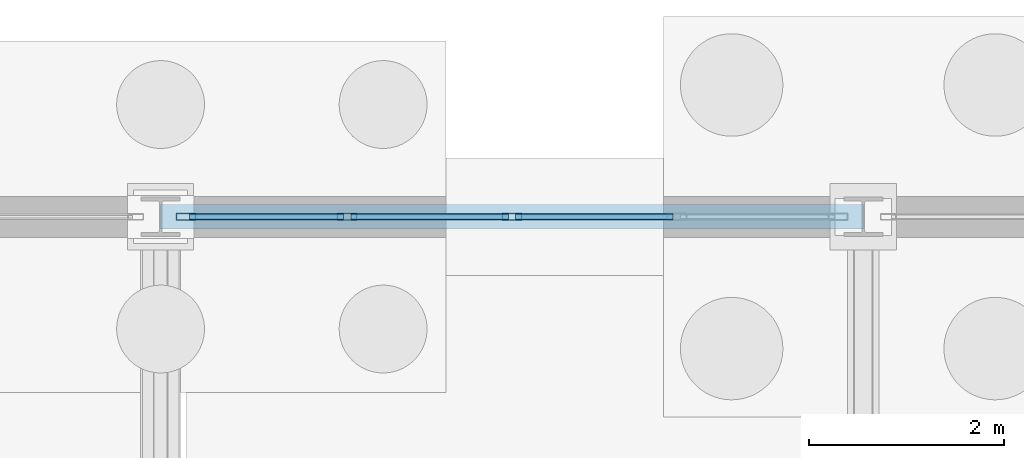
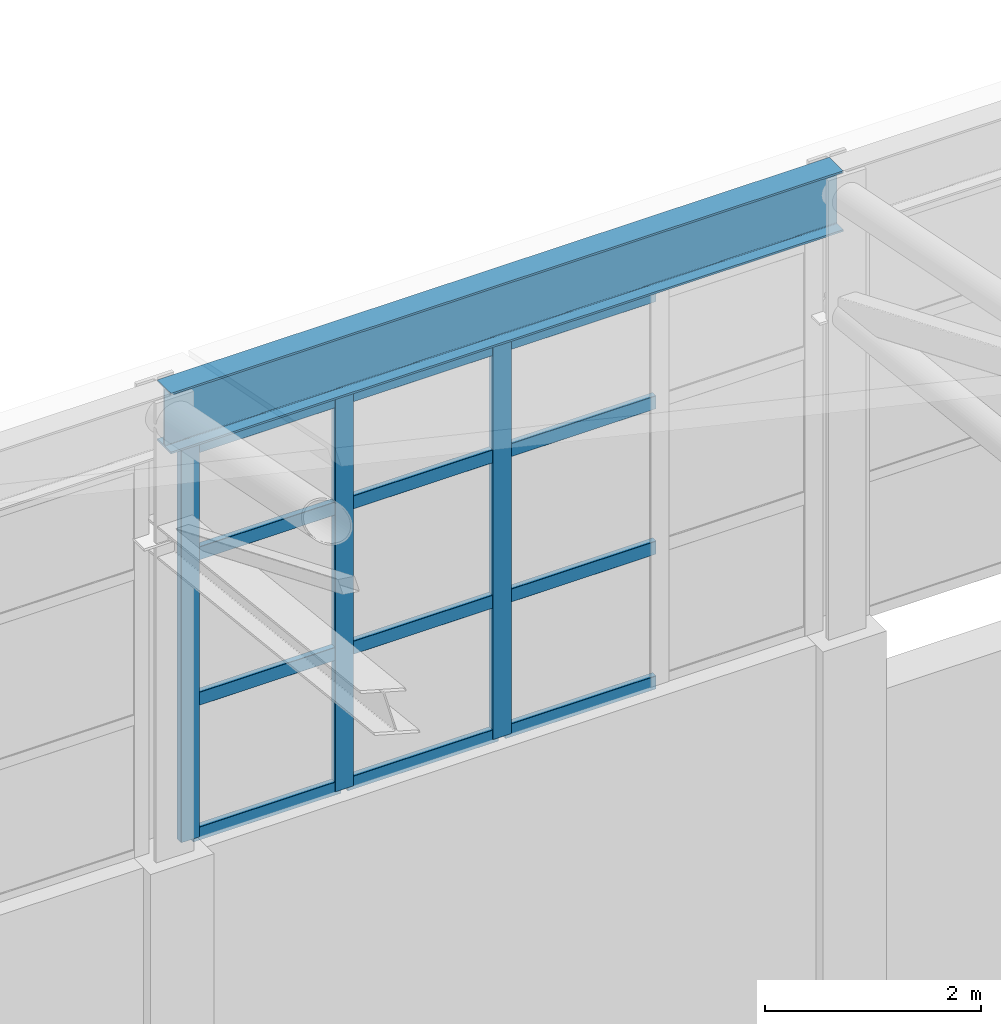
# One storey, part 204 of 293: 15 members, 1 beam, 1 element without a shape of its own.
"""IFC4 building model written with IfcOpenShell, lengths in metres."""

from ifc_helpers import new_model, si_unit, direction, frame, origin, origin_2d, place, context, subcontext, project, spatial, hollow_rectangle, i_section, extrude, material, layer, layer_set, material_profile, profile_set, type_object, element, aggregate, save


model = new_model("IFC4")

# Units and contexts
model_context = context("Model", 3, precision=1e-05, world=origin(), true_north=direction((0.0, 1.0)))
body_context = subcontext(model_context, "Body", "Model", "MODEL_VIEW")
ifc_project = project(units=[si_unit("LENGTHUNIT", "METRE"), si_unit("AREAUNIT", "SQUARE_METRE"), si_unit("VOLUMEUNIT", "CUBIC_METRE"), si_unit("PLANEANGLEUNIT", "RADIAN"), si_unit("MASSUNIT", "GRAM", prefix="KILO")], contexts=[model_context])

# Site, building, storey
site_placement = place(None, origin())
site = spatial("IfcSite", under=ifc_project, at=site_placement, CompositionType="ELEMENT")
building_placement = place(site_placement, origin())
building = spatial("IfcBuilding", under=site, at=building_placement, Name="Kemerveld Promenade Tramway Depot", CompositionType="ELEMENT")
storey_placement = place(building_placement, origin())
storey = spatial("IfcBuildingStorey", under=building, at=storey_placement, Name="L00", CompositionType="ELEMENT", Elevation=0.0)

# Beam
ifc_material_1 = material(Name="Steel S355", Category="steel")
ifc_material_profile_1 = material_profile(ifc_material_1, i_section(OverallWidth=0.25439453125, OverallDepth=0.6875, WebThickness=0.01318359375, FlangeThickness=0.02099609375, FilletRadius=0.01513671875, at=origin_2d()), Name="686x254x152 UB")
ifc_profile_set_1 = profile_set([ifc_material_profile_1], Name="Steel S355")
beam_type = type_object("IfcBeamType", Name="BM-G03", PredefinedType="BEAM", material=ifc_profile_set_1)
beam_placement = place(storey_placement, frame((57.60009765625, 144.0, 11.056396484375), z_axis=(1.0, 0.0, 0.0), x_axis=(0.0, 1.0, 0.0)))
element("IfcBeam", 1, at=beam_placement, inside=storey, type_object=beam_type, Name="BM-SHED-EAVE-U-09", PredefinedType="BEAM", context=body_context, shape_type="SweptSolid", body=[
    extrude(i_section(OverallWidth=0.25439453125, OverallDepth=0.6875, WebThickness=0.01318359375, FlangeThickness=0.02099609375, FilletRadius=0.01513671875, at=origin_2d()), origin(), (0.0, 0.0, 1.0), 7.199951171875),
])

# Curtain wall, members
ifc_material_2 = material(Name="Bronze anodised aluminium and solar glass", Category="aluminium")
ifc_layer = layer(ifc_material_2, 0.199951171875)
ifc_layer_set = layer_set([ifc_layer], Name="CW-SYS-04")
curtain_wall_type = type_object("IfcCurtainWallType", Name="CW-SYS-04", PredefinedType="USERDEFINED", material=ifc_layer_set)
curtain_wall_placement = place(storey_placement, origin())
curtain_wall = element("IfcCurtainWall", 2, at=curtain_wall_placement, inside=storey, type_object=curtain_wall_type, Name="CW-V1-N-04", ObjectType="GLAZED_CURTAIN_WALL", PredefinedType="USERDEFINED")
ifc_material_3 = material(Name="Bronze anodised aluminium", Category="aluminium")
ifc_material_profile_2 = material_profile(ifc_material_3, hollow_rectangle(XDim=0.074951171875, YDim=0.199951171875, WallThickness=0.0048828125, InnerFilletRadius=0.001953125, OuterFilletRadius=0.0048828125, at=origin_2d()), Name="CW-MUL-200x75")
ifc_profile_set_2 = profile_set([ifc_material_profile_2], Name="Bronze anodised aluminium")
member_type_1 = type_object("IfcMemberType", Name="CW-MUL-B", PredefinedType="MULLION", material=ifc_profile_set_2)
member_1_placement = place(storey_placement, frame((57.860595703125, 144.0, 6.199951171875), z_axis=(0.0, 0.0, 1.0), x_axis=(0.0, 1.0, 0.0)))
member_1 = element("IfcMember", 3, at=member_1_placement, type_object=member_type_1, Name="CW04 mullion 1", PredefinedType="MULLION", context=body_context, shape_type="SweptSolid", body=[
    extrude(hollow_rectangle(XDim=0.074951171875, YDim=0.199951171875, WallThickness=0.0048828125, InnerFilletRadius=0.001953125, OuterFilletRadius=0.0048828125, at=origin_2d()), origin(), (0.0, 0.0, 1.0), 4.449951171875),
])
member_2_placement = place(storey_placement, frame((59.51171875, 144.0, 6.199951171875), z_axis=(0.0, 0.0, 1.0), x_axis=(0.0, 1.0, 0.0)))
member_2 = element("IfcMember", 4, at=member_2_placement, type_object=member_type_1, Name="CW04 mullion 2", PredefinedType="MULLION", context=body_context, shape_type="SweptSolid", body=[
    extrude(hollow_rectangle(XDim=0.074951171875, YDim=0.199951171875, WallThickness=0.0048828125, InnerFilletRadius=0.001953125, OuterFilletRadius=0.0048828125, at=origin_2d()), origin(), (0.0, 0.0, 1.0), 4.449951171875),
])
member_3_placement = place(storey_placement, frame((61.199951171875, 144.0, 6.199951171875), z_axis=(0.0, 0.0, 1.0), x_axis=(0.0, 1.0, 0.0)))
member_3 = element("IfcMember", 5, at=member_3_placement, type_object=member_type_1, Name="CW04 mullion 3", PredefinedType="MULLION", context=body_context, shape_type="SweptSolid", body=[
    extrude(hollow_rectangle(XDim=0.074951171875, YDim=0.199951171875, WallThickness=0.0048828125, InnerFilletRadius=0.001953125, OuterFilletRadius=0.0048828125, at=origin_2d()), origin(), (0.0, 0.0, 1.0), 4.449951171875),
])
ifc_material_profile_3 = material_profile(ifc_material_3, hollow_rectangle(XDim=0.06494140625, YDim=0.14990234375, WallThickness=0.00439453125, InnerFilletRadius=0.001953125, OuterFilletRadius=0.00439453125, at=origin_2d()), Name="CW-TRN-150x65")
ifc_profile_set_3 = profile_set([ifc_material_profile_3], Name="Bronze anodised aluminium")
member_type_2 = type_object("IfcMemberType", Name="CW-TRN-B", PredefinedType="USERDEFINED", material=ifc_profile_set_3)
member_4_placement = place(storey_placement, frame((57.898193359375, 144.0, 6.232421875), z_axis=(1.0, 0.0, 0.0), x_axis=(0.0, 1.0, 0.0)))
member_4 = element("IfcMember", 6, at=member_4_placement, type_object=member_type_2, Name="CW04 transom 1.1", ObjectType="TRANSOM", PredefinedType="USERDEFINED", context=body_context, shape_type="SweptSolid", body=[
    extrude(hollow_rectangle(XDim=0.06494140625, YDim=0.14990234375, WallThickness=0.00439453125, InnerFilletRadius=0.001953125, OuterFilletRadius=0.00439453125, at=origin_2d()), origin(), (0.0, 0.0, 1.0), 1.575927734375),
])
member_5_placement = place(storey_placement, frame((57.898193359375, 144.0, 7.758056640625), z_axis=(1.0, 0.0, 0.0), x_axis=(0.0, 1.0, 0.0)))
member_5 = element("IfcMember", 7, at=member_5_placement, type_object=member_type_2, Name="CW04 transom 1.2", ObjectType="TRANSOM", PredefinedType="USERDEFINED", context=body_context, shape_type="SweptSolid", body=[
    extrude(hollow_rectangle(XDim=0.06494140625, YDim=0.14990234375, WallThickness=0.00439453125, InnerFilletRadius=0.001953125, OuterFilletRadius=0.00439453125, at=origin_2d()), origin(), (0.0, 0.0, 1.0), 1.575927734375),
])
member_6_placement = place(storey_placement, frame((57.898193359375, 144.0, 9.404052734375), z_axis=(1.0, 0.0, 0.0), x_axis=(0.0, 1.0, 0.0)))
member_6 = element("IfcMember", 8, at=member_6_placement, type_object=member_type_2, Name="CW04 transom 1.3", ObjectType="TRANSOM", PredefinedType="USERDEFINED", context=body_context, shape_type="SweptSolid", body=[
    extrude(hollow_rectangle(XDim=0.06494140625, YDim=0.14990234375, WallThickness=0.00439453125, InnerFilletRadius=0.001953125, OuterFilletRadius=0.00439453125, at=origin_2d()), origin(), (0.0, 0.0, 1.0), 1.575927734375),
])
member_7_placement = place(storey_placement, frame((57.898193359375, 144.0, 10.617431640625), z_axis=(1.0, 0.0, 0.0), x_axis=(0.0, 1.0, 0.0)))
member_7 = element("IfcMember", 9, at=member_7_placement, type_object=member_type_2, Name="CW04 transom 1.4", ObjectType="TRANSOM", PredefinedType="USERDEFINED", context=body_context, shape_type="SweptSolid", body=[
    extrude(hollow_rectangle(XDim=0.06494140625, YDim=0.14990234375, WallThickness=0.00439453125, InnerFilletRadius=0.001953125, OuterFilletRadius=0.00439453125, at=origin_2d()), origin(), (0.0, 0.0, 1.0), 1.575927734375),
])
member_8_placement = place(storey_placement, frame((59.549072265625, 144.0, 6.232421875), z_axis=(1.0, 0.0, 0.0), x_axis=(0.0, 1.0, 0.0)))
member_8 = element("IfcMember", 10, at=member_8_placement, type_object=member_type_2, Name="CW04 transom 2.1", ObjectType="TRANSOM", PredefinedType="USERDEFINED", context=body_context, shape_type="SweptSolid", body=[
    extrude(hollow_rectangle(XDim=0.06494140625, YDim=0.14990234375, WallThickness=0.00439453125, InnerFilletRadius=0.001953125, OuterFilletRadius=0.00439453125, at=origin_2d()), origin(), (0.0, 0.0, 1.0), 1.613525390625),
])
member_9_placement = place(storey_placement, frame((59.549072265625, 144.0, 7.758056640625), z_axis=(1.0, 0.0, 0.0), x_axis=(0.0, 1.0, 0.0)))
member_9 = element("IfcMember", 11, at=member_9_placement, type_object=member_type_2, Name="CW04 transom 2.2", ObjectType="TRANSOM", PredefinedType="USERDEFINED", context=body_context, shape_type="SweptSolid", body=[
    extrude(hollow_rectangle(XDim=0.06494140625, YDim=0.14990234375, WallThickness=0.00439453125, InnerFilletRadius=0.001953125, OuterFilletRadius=0.00439453125, at=origin_2d()), origin(), (0.0, 0.0, 1.0), 1.613525390625),
])
member_10_placement = place(storey_placement, frame((59.549072265625, 144.0, 9.404052734375), z_axis=(1.0, 0.0, 0.0), x_axis=(0.0, 1.0, 0.0)))
member_10 = element("IfcMember", 12, at=member_10_placement, type_object=member_type_2, Name="CW04 transom 2.3", ObjectType="TRANSOM", PredefinedType="USERDEFINED", context=body_context, shape_type="SweptSolid", body=[
    extrude(hollow_rectangle(XDim=0.06494140625, YDim=0.14990234375, WallThickness=0.00439453125, InnerFilletRadius=0.001953125, OuterFilletRadius=0.00439453125, at=origin_2d()), origin(), (0.0, 0.0, 1.0), 1.613525390625),
])
member_11_placement = place(storey_placement, frame((59.549072265625, 144.0, 10.617431640625), z_axis=(1.0, 0.0, 0.0), x_axis=(0.0, 1.0, 0.0)))
member_11 = element("IfcMember", 13, at=member_11_placement, type_object=member_type_2, Name="CW04 transom 2.4", ObjectType="TRANSOM", PredefinedType="USERDEFINED", context=body_context, shape_type="SweptSolid", body=[
    extrude(hollow_rectangle(XDim=0.06494140625, YDim=0.14990234375, WallThickness=0.00439453125, InnerFilletRadius=0.001953125, OuterFilletRadius=0.00439453125, at=origin_2d()), origin(), (0.0, 0.0, 1.0), 1.613525390625),
])
member_12_placement = place(storey_placement, frame((61.237548828125, 144.0, 6.232421875), z_axis=(1.0, 0.0, 0.0), x_axis=(0.0, 1.0, 0.0)))
member_12 = element("IfcMember", 14, at=member_12_placement, type_object=member_type_2, Name="CW04 transom 3.1", ObjectType="TRANSOM", PredefinedType="USERDEFINED", context=body_context, shape_type="SweptSolid", body=[
    extrude(hollow_rectangle(XDim=0.06494140625, YDim=0.14990234375, WallThickness=0.00439453125, InnerFilletRadius=0.001953125, OuterFilletRadius=0.00439453125, at=origin_2d()), origin(), (0.0, 0.0, 1.0), 1.61328125),
])
member_13_placement = place(storey_placement, frame((61.237548828125, 144.0, 7.758056640625), z_axis=(1.0, 0.0, 0.0), x_axis=(0.0, 1.0, 0.0)))
member_13 = element("IfcMember", 15, at=member_13_placement, type_object=member_type_2, Name="CW04 transom 3.2", ObjectType="TRANSOM", PredefinedType="USERDEFINED", context=body_context, shape_type="SweptSolid", body=[
    extrude(hollow_rectangle(XDim=0.06494140625, YDim=0.14990234375, WallThickness=0.00439453125, InnerFilletRadius=0.001953125, OuterFilletRadius=0.00439453125, at=origin_2d()), origin(), (0.0, 0.0, 1.0), 1.61328125),
])
member_14_placement = place(storey_placement, frame((61.237548828125, 144.0, 9.404052734375), z_axis=(1.0, 0.0, 0.0), x_axis=(0.0, 1.0, 0.0)))
member_14 = element("IfcMember", 16, at=member_14_placement, type_object=member_type_2, Name="CW04 transom 3.3", ObjectType="TRANSOM", PredefinedType="USERDEFINED", context=body_context, shape_type="SweptSolid", body=[
    extrude(hollow_rectangle(XDim=0.06494140625, YDim=0.14990234375, WallThickness=0.00439453125, InnerFilletRadius=0.001953125, OuterFilletRadius=0.00439453125, at=origin_2d()), origin(), (0.0, 0.0, 1.0), 1.61328125),
])
member_15_placement = place(storey_placement, frame((61.237548828125, 144.0, 10.617431640625), z_axis=(1.0, 0.0, 0.0), x_axis=(0.0, 1.0, 0.0)))
member_15 = element("IfcMember", 17, at=member_15_placement, type_object=member_type_2, Name="CW04 transom 3.4", ObjectType="TRANSOM", PredefinedType="USERDEFINED", context=body_context, shape_type="SweptSolid", body=[
    extrude(hollow_rectangle(XDim=0.06494140625, YDim=0.14990234375, WallThickness=0.00439453125, InnerFilletRadius=0.001953125, OuterFilletRadius=0.00439453125, at=origin_2d()), origin(), (0.0, 0.0, 1.0), 1.61328125),
])
aggregate(curtain_wall, [member_1, member_2, member_3, member_4, member_5, member_6, member_7, member_8, member_9, member_10, member_11, member_12, member_13, member_14, member_15])

save(model, "model.ifc")
